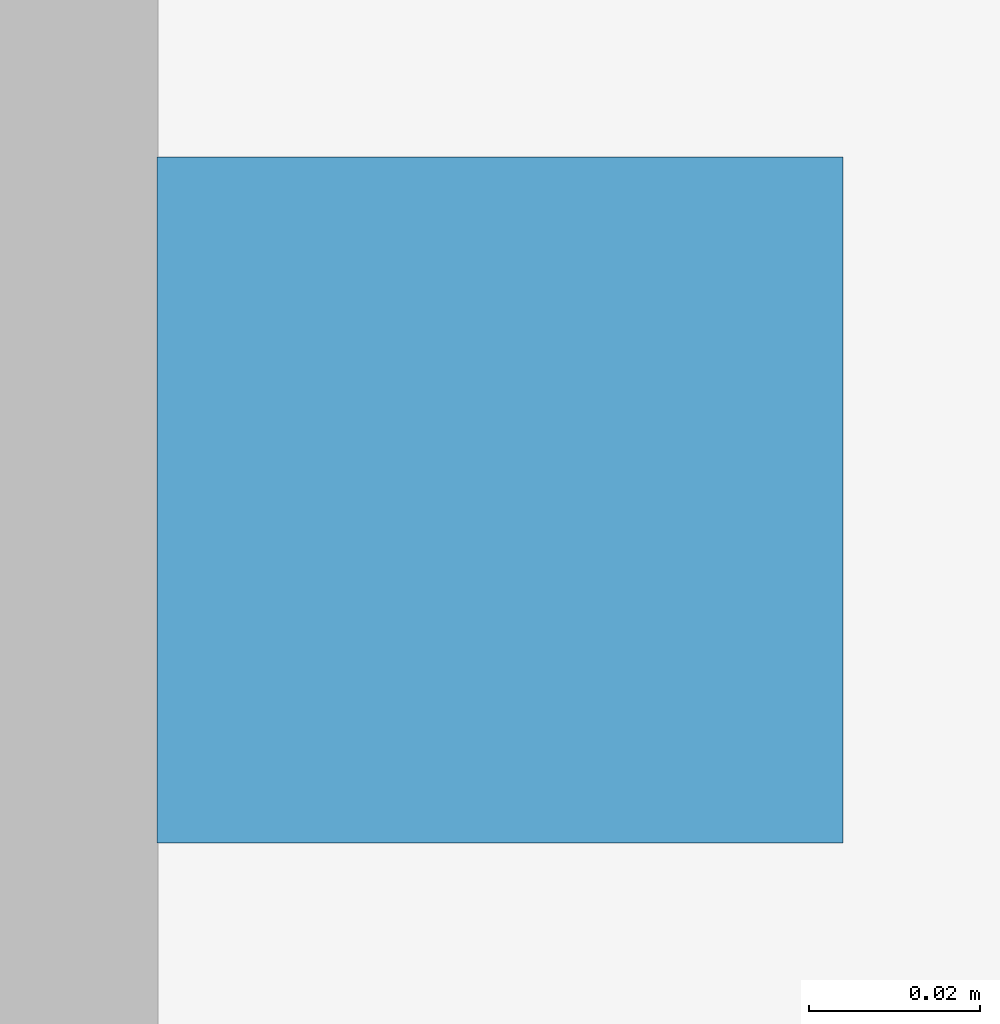
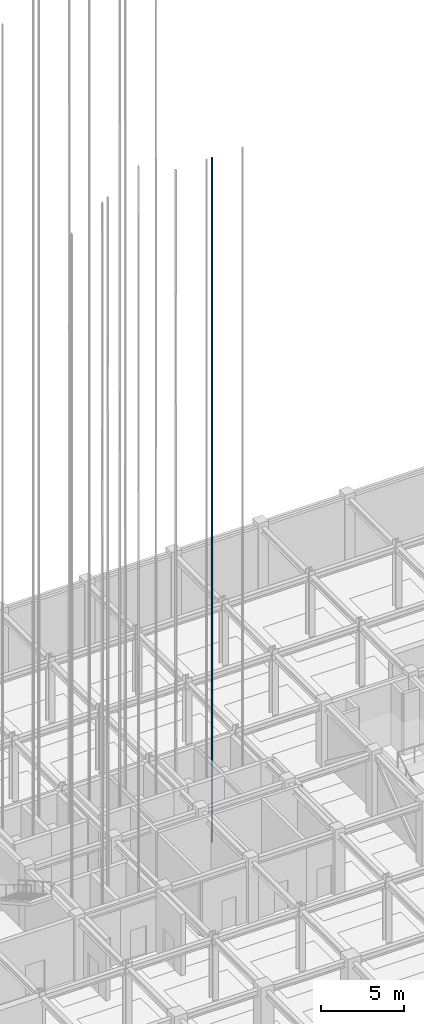
# One storey, part 66 of 69: 1 discrete accessory.
"""IFC4 building model written with IfcOpenShell, lengths in metres."""

from ifc_helpers import new_model, si_unit, direction, frame, origin, origin_2d, place, context, subcontext, project, spatial, rectangle, extrude, material, type_object, element, save


model = new_model("IFC4")

# Units and contexts
model_context = context("Model", 3, precision=1e-05, world=origin(), true_north=direction((0.0, 1.0)))
body_context = subcontext(model_context, "Body", "Model", "MODEL_VIEW")
ifc_project = project(units=[si_unit("LENGTHUNIT", "METRE"), si_unit("AREAUNIT", "SQUARE_METRE"), si_unit("VOLUMEUNIT", "CUBIC_METRE"), si_unit("PLANEANGLEUNIT", "RADIAN"), si_unit("MASSUNIT", "GRAM", prefix="KILO")], contexts=[model_context])

# Site, building, storey
site_placement = place(None, origin())
site = spatial("IfcSite", under=ifc_project, at=site_placement, CompositionType="ELEMENT")
building_placement = place(site_placement, origin())
building = spatial("IfcBuilding", under=site, at=building_placement, Name="Zlatovratsky Civic Hall", CompositionType="ELEMENT")
storey_placement = place(building_placement, frame((0.0, 0.0, -4.800048828125)))
storey = spatial("IfcBuildingStorey", under=building, at=storey_placement, Name="B1", CompositionType="ELEMENT", Elevation=-4.800048828125)

# Discrete accessory
ifc_material = material(Name="Steel S355", Category="steel")
discrete_accessory_type = type_object("IfcDiscreteAccessoryType", Name="Lift_GuideRail", PredefinedType="USERDEFINED", material=ifc_material)
discrete_accessory_placement = place(storey_placement, frame((87.18994140625, 94.14990234375, -1.60009765625), z_axis=(0.0, 0.0, 1.0), x_axis=(1.0, 0.0, 0.0)))
element("IfcDiscreteAccessory", 1, at=discrete_accessory_placement, inside=storey, type_object=discrete_accessory_type, Name="Lift Guide Rail LP-06 L", ObjectType="GUIDE RAIL", PredefinedType="USERDEFINED", context=body_context, shape_type="SweptSolid", body=[
    extrude(rectangle(XDim=0.080078125, YDim=0.080078125, at=origin_2d()), origin(), (0.0, 0.0, 1.0), 50.10009765625),
])

save(model, "model.ifc")
